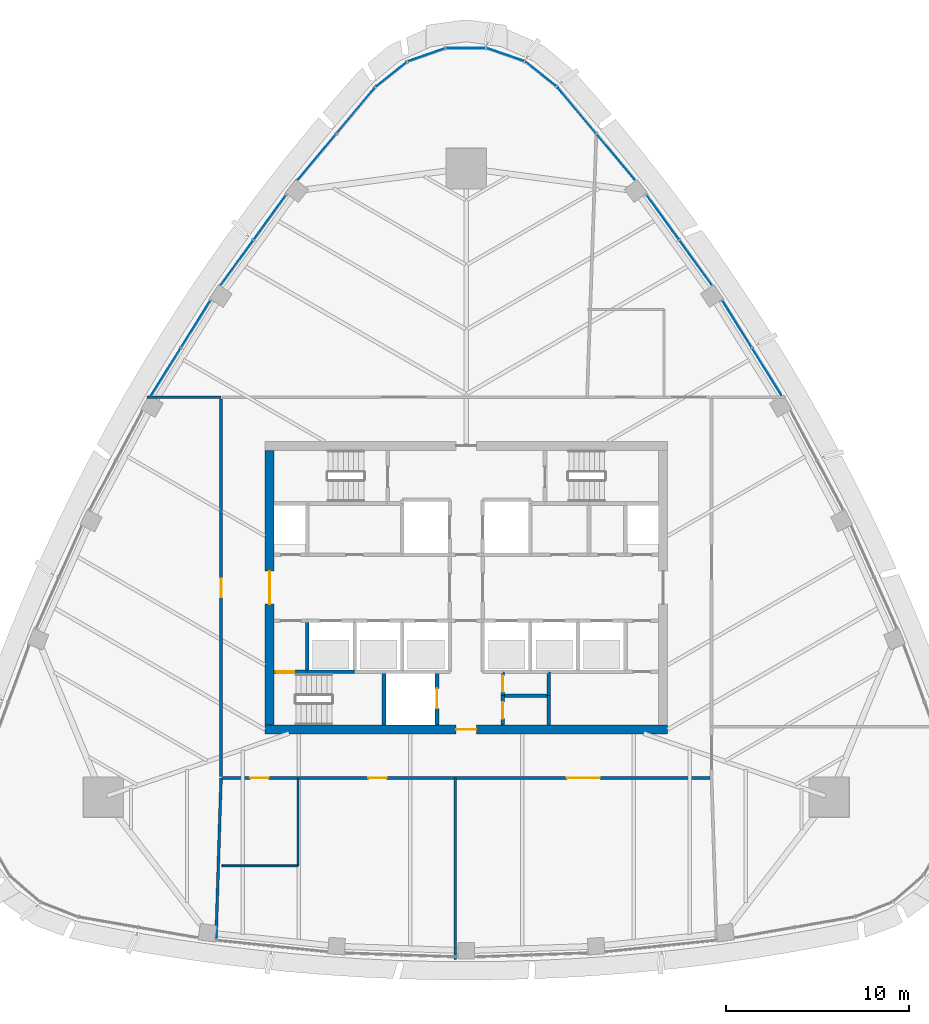
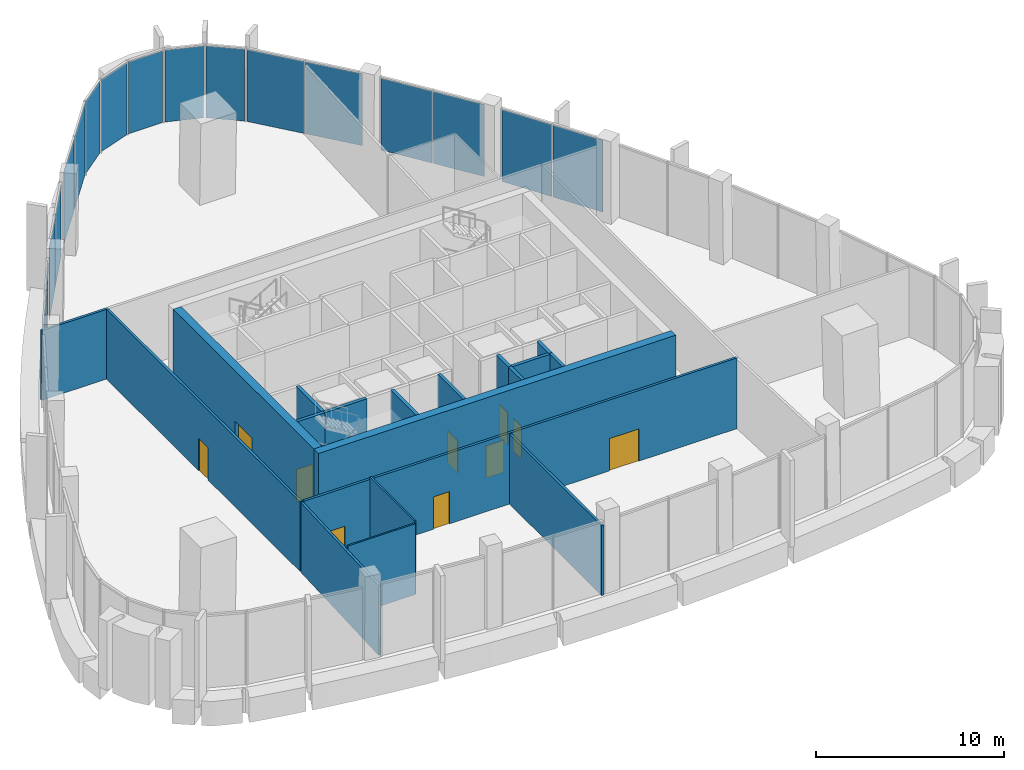
# One storey, part 8 of 19: 19 walls, 17 plates, 10 doors, 10 openings, 11 elements without a shape of their own.
"""IFC4 building model written with IfcOpenShell, lengths in metres."""

import ifcopenshell
import ifcopenshell.guid

model = None  # the IFC model being written
_history = None  # IfcOwnerHistory: only IFC2X3 demands one
_inside = {}  # id of a spatial element -> (the spatial element, [elements in it])
_under = {}  # id of a project, library or spatial element -> (it, [spatial elements below it])
_declared = {}  # id of a project -> (the project, [libraries it declares])
_typed = {}  # id of a type object -> (the type object, [elements of that type])
_made_of = {}  # id of a material, layer set ... -> (it, [elements and type objects made of it])


def new_model(schema):
    """Start an empty IFC model of exactly this schema.

    Asked for "IFC4X3", IfcOpenShell would pick the latest addendum, in which some entities
    have other attributes; the version numbers below select the first issue.
    IFC2X3 requires an IfcOwnerHistory on every rooted entity: one is made here for all.
    """
    global model, _history
    if schema == "IFC4X3":
        model = ifcopenshell.file(schema_version=(4, 3, 0, 0))
    else:
        model = ifcopenshell.file(schema=schema)
    _inside.clear()
    _under.clear()
    _declared.clear()
    _typed.clear()
    _made_of.clear()
    _history = None
    if model.schema == "IFC2X3":
        org = make("IfcOrganization", Name="unknown")
        user = make(
            "IfcPersonAndOrganization",
            ThePerson=make("IfcPerson", FamilyName="unknown"),
            TheOrganization=org,
        )
        app = make(
            "IfcApplication",
            ApplicationDeveloper=org,
            Version="unknown",
            ApplicationFullName="unknown",
            ApplicationIdentifier="unknown",
        )
        _history = make(
            "IfcOwnerHistory",
            OwningUser=user,
            OwningApplication=app,
            ChangeAction="ADDED",
            CreationDate=0,
        )
    return model


def make(cls, **values):
    """One entity of the class cls with the attributes given. An attribute that is None is left unset."""
    return model.create_entity(
        cls, **{name: value for name, value in values.items() if value is not None}
    )


def rooted(cls, **values):
    """An entity with a GlobalId (a new one), such as an element, a storey or a relation."""
    return make(cls, GlobalId=ifcopenshell.guid.new(), OwnerHistory=_history, **values)


def si_unit(unit_type, name, prefix=None):
    """IfcSIUnit, for example si_unit("LENGTHUNIT", "METRE", prefix="MILLI")."""
    return make("IfcSIUnit", UnitType=unit_type, Prefix=prefix, Name=name)


def assignment(units):
    """IfcUnitAssignment: the units of a project."""
    return None if units is None else make("IfcUnitAssignment", Units=units)


def point(xyz):
    """IfcCartesianPoint."""
    return None if xyz is None else make("IfcCartesianPoint", Coordinates=xyz)


def direction(xyz):
    """IfcDirection."""
    return None if xyz is None else make("IfcDirection", DirectionRatios=xyz)


def frame(location, z_axis=None, x_axis=None):
    """IfcAxis2Placement3D, a coordinate frame: its origin and axes. An axis left out is left unset."""
    return make(
        "IfcAxis2Placement3D",
        Location=point(location),
        Axis=direction(z_axis),
        RefDirection=direction(x_axis),
    )


def frame_2d(location, x_axis=None):
    """IfcAxis2Placement2D, a coordinate frame in the plane: its origin and x axis."""
    return make(
        "IfcAxis2Placement2D", Location=point(location), RefDirection=direction(x_axis)
    )


def origin():
    """The frame at (0, 0, 0) with its axes left unset."""
    return frame((0.0, 0.0, 0.0))


def origin_2d():
    """The frame at (0, 0) in the plane with its x axis left unset."""
    return frame_2d((0.0, 0.0))


def place(relative_to, where):
    """IfcLocalPlacement: puts the frame where relative to a parent placement (None: the world)."""
    return make(
        "IfcLocalPlacement", PlacementRelTo=relative_to, RelativePlacement=where
    )


def context(
    kind, dimensions, precision=None, world=None, true_north=None, identifier=None
):
    """IfcGeometricRepresentationContext, for example the 3D "Model" context."""
    return make(
        "IfcGeometricRepresentationContext",
        ContextIdentifier=identifier,
        ContextType=kind,
        CoordinateSpaceDimension=dimensions,
        Precision=precision,
        WorldCoordinateSystem=world,
        TrueNorth=true_north,
    )


def subcontext(parent, identifier, kind, view, scale=None):
    """IfcGeometricRepresentationSubContext, for example "Body" below "Model"."""
    return make(
        "IfcGeometricRepresentationSubContext",
        ContextIdentifier=identifier,
        ContextType=kind,
        ParentContext=parent,
        TargetScale=scale,
        TargetView=view,
    )


def project(units=None, contexts=None):
    """IfcProject with its units and contexts."""
    return rooted(
        "IfcProject",
        Name="project",
        RepresentationContexts=contexts,
        UnitsInContext=assignment(units),
    )


def spatial(cls, under=None, at=None, **own):
    """A site, building, storey or space (cls), placed at a placement, below another one or the project."""
    s = rooted(cls, ObjectPlacement=at, **own)
    if under is not None:
        _under.setdefault(under.id(), (under, []))[1].append(s)
    return s


def profile(cls, at=None, kind="AREA", **sizes):
    """A parametric profile (cls). Its sizes go by their IFC names, for example OverallWidth=200.0."""
    return make(cls, ProfileType=kind, Position=at, **sizes)


def rectangle(**sizes):
    """IfcRectangleProfileDef."""
    return profile("IfcRectangleProfileDef", **sizes)


def extrude(swept, where, along, depth):
    """IfcExtrudedAreaSolid: the profile swept, set in the frame where, extruded along a direction by depth."""
    return make(
        "IfcExtrudedAreaSolid",
        SweptArea=swept,
        Position=where,
        ExtrudedDirection=direction(along),
        Depth=depth,
    )


def shape(context_of_items, identifier, shape_type, items):
    """IfcShapeRepresentation: the items that make up one representation, for example the "Body"."""
    return make(
        "IfcShapeRepresentation",
        ContextOfItems=context_of_items,
        RepresentationIdentifier=identifier,
        RepresentationType=shape_type,
        Items=items,
    )


def material(Name=None, Category=None):
    """IfcMaterial."""
    return make("IfcMaterial", Name=Name, Category=Category)


def layer(
    of_material, thickness, ventilated=None, Name=None, Category=None, Priority=None
):
    """IfcMaterialLayer: one layer of a wall or slab, of a material (None: an air gap)."""
    return make(
        "IfcMaterialLayer",
        Material=of_material,
        LayerThickness=thickness,
        IsVentilated=ventilated,
        Name=Name,
        Category=Category,
        Priority=Priority,
    )


def layer_set(layers, Name=None):
    """IfcMaterialLayerSet."""
    return make("IfcMaterialLayerSet", MaterialLayers=layers, LayerSetName=Name)


def made_of(thing, what):
    """Note that an element or type object is made of a material, layer set ...; save() writes the relation."""
    if what is not None:
        _made_of.setdefault(what.id(), (what, []))[1].append(thing)
    return thing


def type_object(cls, material=None, **own):
    """A type object (cls), such as IfcWallType, which elements share."""
    return made_of(rooted(cls, **own), material)


def element(
    cls,
    number,
    at=None,
    inside=None,
    cuts=None,
    type_object=None,
    material=None,
    context=None,
    identifier="Body",
    shape_type=None,
    held_by="IfcProductDefinitionShape",
    body=None,
    shapes=None,
    **own,
):
    """One element of the class cls, such as IfcWall. Its Tag is "e" and its number.

    at: its placement. inside: the storey or other place that contains it. cuts: it is an
    opening in that element (IfcRelVoidsElement). A single representation is given by context,
    identifier, shape_type and body (its items); several are given by shapes. held_by: the class
    of the entity that holds the representations. save() writes the other relations.
    """
    e = rooted(cls, Tag="e%d" % number, ObjectPlacement=at, **own)
    if body is not None:
        shapes = [shape(context, identifier, shape_type, body)]
    if shapes is not None:
        e.Representation = make(held_by, Representations=shapes)
    if inside is not None:
        _inside.setdefault(inside.id(), (inside, []))[1].append(e)
    if cuts is not None:
        rooted(
            "IfcRelVoidsElement", RelatingBuildingElement=cuts, RelatedOpeningElement=e
        )
    if type_object is not None:
        _typed.setdefault(type_object.id(), (type_object, []))[1].append(e)
    return made_of(e, material)


def fill(opening, filler):
    """IfcRelFillsElement: the door or window that sits in an opening."""
    return rooted(
        "IfcRelFillsElement",
        RelatingOpeningElement=opening,
        RelatedBuildingElement=filler,
    )


def aggregate(whole, parts):
    """IfcRelAggregates: a whole, such as a stair, and the parts it consists of."""
    return rooted("IfcRelAggregates", RelatingObject=whole, RelatedObjects=parts)


def save(model, path):
    """Write the relations noted so far, then the file.

    IfcRelAggregates (storeys below a building ...), IfcRelContainedInSpatialStructure (elements
    in a storey), IfcRelDefinesByType, IfcRelAssociatesMaterial and IfcRelDeclares: one each for
    every whole, place, type object, material and project.
    """
    for whole, parts in _under.values():
        aggregate(whole, parts)
    for where, things in _inside.values():
        rooted(
            "IfcRelContainedInSpatialStructure",
            RelatedElements=things,
            RelatingStructure=where,
        )
    for kind, things in _typed.values():
        rooted("IfcRelDefinesByType", RelatedObjects=things, RelatingType=kind)
    for what, things in _made_of.values():
        rooted("IfcRelAssociatesMaterial", RelatedObjects=things, RelatingMaterial=what)
    for by, libraries in _declared.values():
        rooted("IfcRelDeclares", RelatingContext=by, RelatedDefinitions=libraries)
    model.write(path)


model = new_model("IFC4")

# Units and contexts
model_context = context("Model", 3, precision=1e-05, world=origin(), true_north=direction((0.0, 1.0)))
body_context = subcontext(model_context, "Body", "Model", "MODEL_VIEW")
ifc_project = project(units=[si_unit("LENGTHUNIT", "METRE"), si_unit("AREAUNIT", "SQUARE_METRE"), si_unit("VOLUMEUNIT", "CUBIC_METRE"), si_unit("PLANEANGLEUNIT", "RADIAN"), si_unit("MASSUNIT", "GRAM", prefix="KILO")], contexts=[model_context])

# Site, building, storey
site_placement = place(None, origin())
site = spatial("IfcSite", under=ifc_project, at=site_placement, CompositionType="ELEMENT")
building_placement = place(site_placement, origin())
building = spatial("IfcBuilding", under=site, at=building_placement, Name="Sierra Prisma Convention Tower", CompositionType="ELEMENT")
storey_placement = place(building_placement, frame((0.0, 0.0, 319.0)))
storey = spatial("IfcBuildingStorey", under=building, at=storey_placement, Name="L73", CompositionType="ELEMENT", Elevation=319.0)

# Curtain wall, plates
ifc_material_1 = material(Name="Aluminium and glass curtain wall", Category="aluminium")
ifc_layer_1 = layer(ifc_material_1, 0.179931640625)
ifc_layer_set_1 = layer_set([ifc_layer_1], Name="CW-1 Plain shaft curtain wall")
curtain_wall_type = type_object("IfcCurtainWallType", Name="CW-1 Plain shaft curtain wall", PredefinedType="NOTDEFINED", material=ifc_layer_set_1)
curtain_wall_1_placement = place(storey_placement, origin())
curtain_wall_1 = element("IfcCurtainWall", 1, at=curtain_wall_1_placement, inside=storey, type_object=curtain_wall_type, Name="CW-1 NE4 L73", PredefinedType="NOTDEFINED")
ifc_material_2 = material(Name="Tinted glass bronze-grey IGU", Category="glass")
ifc_layer_2 = layer(ifc_material_2, 0.028076171875)
ifc_layer_set_2 = layer_set([ifc_layer_2], Name="CW-1 glass panel")
plate_type = type_object("IfcPlateType", Name="CW-1 glass panel", PredefinedType="CURTAIN_PANEL", material=ifc_layer_set_2)
plate_1_placement = place(storey_placement, frame((16.41259765625, 11.80712890625, 0.0), z_axis=(0.0, 0.0, 1.0), x_axis=(-0.529623240013, 0.848233000795, 0.0)))
plate_1 = element("IfcPlate", 2, at=plate_1_placement, type_object=plate_type, Name="CW-1 panel NE4.1", PredefinedType="CURTAIN_PANEL", context=body_context, shape_type="SweptSolid", body=[
    extrude(rectangle(XDim=3.000244140625, YDim=0.028076171875, at=origin_2d()), origin(), (0.0, 0.0, 1.0), 4.679931640625),
])
plate_2_placement = place(storey_placement, frame((14.78662109375, 14.411376953125, 0.0), z_axis=(0.0, 0.0, 1.0), x_axis=(-0.529623240013, 0.848233000795, 0.0)))
plate_2 = element("IfcPlate", 3, at=plate_2_placement, type_object=plate_type, Name="CW-1 panel NE4.2", PredefinedType="CURTAIN_PANEL", context=body_context, shape_type="SweptSolid", body=[
    extrude(rectangle(XDim=3.000244140625, YDim=0.028076171875, at=origin_2d()), origin(), (0.0, 0.0, 1.0), 4.679931640625),
])
aggregate(curtain_wall_1, [plate_1, plate_2])

curtain_wall_2_placement = place(storey_placement, origin())
curtain_wall_2 = element("IfcCurtainWall", 4, at=curtain_wall_2_placement, inside=storey, type_object=curtain_wall_type, Name="CW-1 NE5 L73", PredefinedType="NOTDEFINED")
plate_3_placement = place(storey_placement, frame((12.529296875, 17.76416015625, 0.0), z_axis=(0.0, 0.0, 1.0), x_axis=(-0.586937823145, 0.80963201009, 0.0)))
plate_3 = element("IfcPlate", 5, at=plate_3_placement, type_object=plate_type, Name="CW-1 panel NE5.1", PredefinedType="CURTAIN_PANEL", context=body_context, shape_type="SweptSolid", body=[
    extrude(rectangle(XDim=2.985107421875, YDim=0.028076171875, at=origin_2d()), origin(), (0.0, 0.0, 1.0), 4.679931640625),
])
plate_4_placement = place(storey_placement, frame((10.736083984375, 20.23779296875, 0.0), z_axis=(0.0, 0.0, 1.0), x_axis=(-0.586937823145, 0.80963201009, 0.0)))
plate_4 = element("IfcPlate", 6, at=plate_4_placement, type_object=plate_type, Name="CW-1 panel NE5.2", PredefinedType="CURTAIN_PANEL", context=body_context, shape_type="SweptSolid", body=[
    extrude(rectangle(XDim=2.985107421875, YDim=0.028076171875, at=origin_2d()), origin(), (0.0, 0.0, 1.0), 4.679931640625),
])
aggregate(curtain_wall_2, [plate_3, plate_4])

curtain_wall_3_placement = place(storey_placement, origin())
curtain_wall_3 = element("IfcCurtainWall", 7, at=curtain_wall_3_placement, inside=storey, type_object=curtain_wall_type, Name="CW-1 NE6 L73", PredefinedType="NOTDEFINED")
plate_5_placement = place(storey_placement, frame((8.160400390625, 23.539306640625, 0.0), z_axis=(0.0, 0.0, 1.0), x_axis=(-0.641449779403, 0.767165028207, 0.0)))
plate_5 = element("IfcPlate", 8, at=plate_5_placement, type_object=plate_type, Name="CW-1 panel NE6.1", PredefinedType="CURTAIN_PANEL", context=body_context, shape_type="SweptSolid", body=[
    extrude(rectangle(XDim=3.23095703125, YDim=0.028076171875, at=origin_2d()), origin(), (0.0, 0.0, 1.0), 4.679931640625),
])
plate_6_placement = place(storey_placement, frame((6.04296875, 26.07177734375, 0.0), z_axis=(0.0, 0.0, 1.0), x_axis=(-0.641449779403, 0.767165028207, 0.0)))
plate_6 = element("IfcPlate", 9, at=plate_6_placement, type_object=plate_type, Name="CW-1 panel NE6.2", PredefinedType="CURTAIN_PANEL", context=body_context, shape_type="SweptSolid", body=[
    extrude(rectangle(XDim=3.23095703125, YDim=0.028076171875, at=origin_2d()), origin(), (0.0, 0.0, 1.0), 4.679931640625),
])
aggregate(curtain_wall_3, [plate_5, plate_6])

# Curtain wall, plate
curtain_wall_4_placement = place(storey_placement, origin())
curtain_wall_4 = element("IfcCurtainWall", 10, at=curtain_wall_4_placement, inside=storey, type_object=curtain_wall_type, Name="CW-1 N1 L73", PredefinedType="NOTDEFINED")
plate_7_placement = place(storey_placement, frame((4.08984375, 28.058349609375, 0.0), z_axis=(0.0, 0.0, 1.0), x_axis=(-0.782651729813, 0.622459853984, 0.0)))
plate_7 = element("IfcPlate", 11, at=plate_7_placement, type_object=plate_type, Name="CW-1 panel N1.1", PredefinedType="CURTAIN_PANEL", context=body_context, shape_type="SweptSolid", body=[
    extrude(rectangle(XDim=2.08837890625, YDim=0.028076171875, at=origin_2d()), origin(), (0.0, 0.0, 1.0), 4.679931640625),
])
aggregate(curtain_wall_4, [plate_7])

curtain_wall_5_placement = place(storey_placement, origin())
curtain_wall_5 = element("IfcCurtainWall", 12, at=curtain_wall_5_placement, inside=storey, type_object=curtain_wall_type, Name="CW-1 N2 L73", PredefinedType="NOTDEFINED")
plate_8_placement = place(storey_placement, frame((2.166015625, 29.119140625, 0.0), z_axis=(0.0, 0.0, 1.0), x_axis=(-0.944100558686, 0.329657602807, 0.0)))
plate_8 = element("IfcPlate", 13, at=plate_8_placement, type_object=plate_type, Name="CW-1 panel N2.1", PredefinedType="CURTAIN_PANEL", context=body_context, shape_type="SweptSolid", body=[
    extrude(rectangle(XDim=2.08837890625, YDim=0.028076171875, at=origin_2d()), origin(), (0.0, 0.0, 1.0), 4.679931640625),
])
aggregate(curtain_wall_5, [plate_8])

curtain_wall_6_placement = place(storey_placement, origin())
curtain_wall_6 = element("IfcCurtainWall", 14, at=curtain_wall_6_placement, inside=storey, type_object=curtain_wall_type, Name="CW-1 N3 L73", PredefinedType="NOTDEFINED")
plate_9_placement = place(storey_placement, frame((0.0, 29.486572265625, 0.0), z_axis=(0.0, 0.0, 1.0), x_axis=(-1.0, 0.0, 0.0)))
plate_9 = element("IfcPlate", 15, at=plate_9_placement, type_object=plate_type, Name="CW-1 panel N3.1", PredefinedType="CURTAIN_PANEL", context=body_context, shape_type="SweptSolid", body=[
    extrude(rectangle(XDim=2.08837890625, YDim=0.028076171875, at=origin_2d()), origin(), (0.0, 0.0, 1.0), 4.679931640625),
])
aggregate(curtain_wall_6, [plate_9])

curtain_wall_7_placement = place(storey_placement, origin())
curtain_wall_7 = element("IfcCurtainWall", 16, at=curtain_wall_7_placement, inside=storey, type_object=curtain_wall_type, Name="CW-1 N4 L73", PredefinedType="NOTDEFINED")
plate_10_placement = place(storey_placement, frame((-2.166015625, 29.119140625, 0.0), z_axis=(0.0, 0.0, 1.0), x_axis=(-0.944100558686, -0.329657602807, 0.0)))
plate_10 = element("IfcPlate", 17, at=plate_10_placement, type_object=plate_type, Name="CW-1 panel N4.1", PredefinedType="CURTAIN_PANEL", context=body_context, shape_type="SweptSolid", body=[
    extrude(rectangle(XDim=2.08837890625, YDim=0.028076171875, at=origin_2d()), origin(), (0.0, 0.0, 1.0), 4.679931640625),
])
aggregate(curtain_wall_7, [plate_10])

curtain_wall_8_placement = place(storey_placement, origin())
curtain_wall_8 = element("IfcCurtainWall", 18, at=curtain_wall_8_placement, inside=storey, type_object=curtain_wall_type, Name="CW-1 N5 L73", PredefinedType="NOTDEFINED")
plate_11_placement = place(storey_placement, frame((-4.08984375, 28.058349609375, 0.0), z_axis=(0.0, 0.0, 1.0), x_axis=(-0.782651729813, -0.622459853984, 0.0)))
plate_11 = element("IfcPlate", 19, at=plate_11_placement, type_object=plate_type, Name="CW-1 panel N5.1", PredefinedType="CURTAIN_PANEL", context=body_context, shape_type="SweptSolid", body=[
    extrude(rectangle(XDim=2.08837890625, YDim=0.028076171875, at=origin_2d()), origin(), (0.0, 0.0, 1.0), 4.679931640625),
])
aggregate(curtain_wall_8, [plate_11])

# Curtain wall, plates
curtain_wall_9_placement = place(storey_placement, origin())
curtain_wall_9 = element("IfcCurtainWall", 20, at=curtain_wall_9_placement, inside=storey, type_object=curtain_wall_type, Name="CW-1 NW1 L73", PredefinedType="NOTDEFINED")
plate_12_placement = place(storey_placement, frame((-6.04296875, 26.07177734375, 0.0), z_axis=(0.0, 0.0, 1.0), x_axis=(-0.641449779403, -0.767165028207, 0.0)))
plate_12 = element("IfcPlate", 21, at=plate_12_placement, type_object=plate_type, Name="CW-1 panel NW1.1", PredefinedType="CURTAIN_PANEL", context=body_context, shape_type="SweptSolid", body=[
    extrude(rectangle(XDim=3.23095703125, YDim=0.028076171875, at=origin_2d()), origin(), (0.0, 0.0, 1.0), 4.679931640625),
])
plate_13_placement = place(storey_placement, frame((-8.160400390625, 23.539306640625, 0.0), z_axis=(0.0, 0.0, 1.0), x_axis=(-0.641449779403, -0.767165028207, 0.0)))
plate_13 = element("IfcPlate", 22, at=plate_13_placement, type_object=plate_type, Name="CW-1 panel NW1.2", PredefinedType="CURTAIN_PANEL", context=body_context, shape_type="SweptSolid", body=[
    extrude(rectangle(XDim=3.23095703125, YDim=0.028076171875, at=origin_2d()), origin(), (0.0, 0.0, 1.0), 4.679931640625),
])
aggregate(curtain_wall_9, [plate_12, plate_13])

curtain_wall_10_placement = place(storey_placement, origin())
curtain_wall_10 = element("IfcCurtainWall", 23, at=curtain_wall_10_placement, inside=storey, type_object=curtain_wall_type, Name="CW-1 NW2 L73", PredefinedType="NOTDEFINED")
plate_14_placement = place(storey_placement, frame((-10.73681640625, 20.23681640625, 0.0), z_axis=(0.0, 0.0, 1.0), x_axis=(-0.586937823145, -0.80963201009, 0.0)))
plate_14 = element("IfcPlate", 24, at=plate_14_placement, type_object=plate_type, Name="CW-1 panel NW2.1", PredefinedType="CURTAIN_PANEL", context=body_context, shape_type="SweptSolid", body=[
    extrude(rectangle(XDim=2.984375, YDim=0.028076171875, at=origin_2d()), origin(), (0.0, 0.0, 1.0), 4.679931640625),
])
plate_15_placement = place(storey_placement, frame((-12.529541015625, 17.763916015625, 0.0), z_axis=(0.0, 0.0, 1.0), x_axis=(-0.586937823145, -0.80963201009, 0.0)))
plate_15 = element("IfcPlate", 25, at=plate_15_placement, type_object=plate_type, Name="CW-1 panel NW2.2", PredefinedType="CURTAIN_PANEL", context=body_context, shape_type="SweptSolid", body=[
    extrude(rectangle(XDim=2.984375, YDim=0.028076171875, at=origin_2d()), origin(), (0.0, 0.0, 1.0), 4.679931640625),
])
aggregate(curtain_wall_10, [plate_14, plate_15])

curtain_wall_11_placement = place(storey_placement, origin())
curtain_wall_11 = element("IfcCurtainWall", 26, at=curtain_wall_11_placement, inside=storey, type_object=curtain_wall_type, Name="CW-1 NW3 L73", PredefinedType="NOTDEFINED")
plate_16_placement = place(storey_placement, frame((-14.786865234375, 14.4111328125, 0.0), z_axis=(0.0, 0.0, 1.0), x_axis=(-0.529623240013, -0.848233000795, 0.0)))
plate_16 = element("IfcPlate", 27, at=plate_16_placement, type_object=plate_type, Name="CW-1 panel NW3.1", PredefinedType="CURTAIN_PANEL", context=body_context, shape_type="SweptSolid", body=[
    extrude(rectangle(XDim=3.0, YDim=0.028076171875, at=origin_2d()), origin(), (0.0, 0.0, 1.0), 4.679931640625),
])
plate_17_placement = place(storey_placement, frame((-16.412841796875, 11.80712890625, 0.0), z_axis=(0.0, 0.0, 1.0), x_axis=(-0.529623240013, -0.848233000795, 0.0)))
plate_17 = element("IfcPlate", 28, at=plate_17_placement, type_object=plate_type, Name="CW-1 panel NW3.2", PredefinedType="CURTAIN_PANEL", context=body_context, shape_type="SweptSolid", body=[
    extrude(rectangle(XDim=3.0, YDim=0.028076171875, at=origin_2d()), origin(), (0.0, 0.0, 1.0), 4.679931640625),
])
aggregate(curtain_wall_11, [plate_16, plate_17])

# Walls
ifc_material_3 = material(Name="Gypsum board partition", Category="gypsum")
ifc_layer_3 = layer(ifc_material_3, 0.10009765625)
ifc_layer_set_3 = layer_set([ifc_layer_3], Name="Bathroom partition 100")
wall_type_1 = type_object("IfcWallType", Name="Bathroom partition 100", PredefinedType="PARTITIONING", material=ifc_layer_set_3)
wall_1_placement = place(storey_placement, frame((-9.199951171875, -10.429931640625, 0.0), z_axis=(0.0, 0.0, 1.0), x_axis=(0.0, -1.0, 0.0)))
element("IfcWall", 29, at=wall_1_placement, inside=storey, type_object=wall_type_1, Name="Partition L73 bath 1", PredefinedType="PARTITIONING", context=body_context, shape_type="SweptSolid", body=[
    extrude(rectangle(XDim=4.77001953125, YDim=0.10009765625, at=frame_2d((2.385009765625, 0.0))), origin(), (0.0, 0.0, 1.0), 4.75),
])
wall_2_placement = place(storey_placement, frame((-9.199951171875, -15.199951171875, 0.0), z_axis=(0.0, 0.0, 1.0), x_axis=(-1.0, 0.0, 0.0)))
element("IfcWall", 30, at=wall_2_placement, inside=storey, type_object=wall_type_1, Name="Partition L73 bath 2", PredefinedType="PARTITIONING", context=body_context, shape_type="SweptSolid", body=[
    extrude(rectangle(XDim=4.170166015625, YDim=0.10009765625, at=frame_2d((2.0849609375, 0.0))), origin(), (0.0, 0.0, 1.0), 4.60595703125),
])

# Wall, opening, door
ifc_material_4 = material(Name="Concrete C30/37", Category="concrete")
ifc_layer_4 = layer(ifc_material_4, 0.199951171875)
ifc_layer_set_4 = layer_set([ifc_layer_4], Name="Core wall RC 200 C30/37")
wall_type_2 = type_object("IfcWallType", Name="Core wall RC 200 C30/37", PredefinedType="SOLIDWALL", material=ifc_layer_set_4)
wall_3_placement = place(storey_placement, frame((-10.5, -4.60009765625, 0.0), z_axis=(0.0, 0.0, 1.0), x_axis=(1.0, 0.0, 0.0)))
wall_3 = element("IfcWall", 31, at=wall_3_placement, inside=storey, type_object=wall_type_2, Name="Core wall L73 1", PredefinedType="SOLIDWALL", context=body_context, shape_type="SweptSolid", body=[
    extrude(rectangle(XDim=1.800048828125, YDim=0.199951171875, at=frame_2d((0.89990234375, 0.0))), origin(), (0.0, 0.0, 1.0), 5.25),
])
opening_1_placement = place(wall_3_placement, frame((0.10009765625, 0.0, 0.0)))
opening_1 = element("IfcOpeningElement", 32, at=opening_1_placement, cuts=wall_3, Name="Opening L73-D017", PredefinedType="OPENING", context=body_context, shape_type="SweptSolid", body=[
    extrude(rectangle(XDim=1.0, YDim=2.10009765625, at=frame_2d((0.5, 1.050048828125))), frame((0.0, 0.10009765625, 0.0), z_axis=(0.0, -1.0, 0.0), x_axis=(1.0, 0.0, 0.0)), (0.0, 0.0, 1.0), 0.199951171875),
])
ifc_material_5 = material(Name="Steel fire door leaf", Category="steel")
door_type_1 = type_object("IfcDoorType", Name="Door 1000x2100 FD90S", OperationType="SINGLE_SWING_LEFT", PredefinedType="DOOR", material=ifc_material_5)
door_1_placement = place(opening_1_placement, origin())
door_1 = element("IfcDoor", 33, at=door_1_placement, inside=storey, type_object=door_type_1, Name="Door L73 26", OperationType="SINGLE_SWING_LEFT", OverallHeight=2.10009765625, OverallWidth=1.0, PredefinedType="DOOR", context=body_context, shape_type="SweptSolid", body=[
    extrude(rectangle(XDim=1.0, YDim=2.10009765625, at=frame_2d((0.5, 1.050048828125))), frame((0.0, 0.02490234375, 0.0), z_axis=(0.0, -1.0, 0.0), x_axis=(1.0, 0.0, 0.0)), (0.0, 0.0, 1.0), 0.050048828125),
])
fill(opening_1, door_1)

# Walls
wall_4_placement = place(storey_placement, frame((-8.699951171875, -4.60009765625, 0.0), z_axis=(0.0, 0.0, 1.0), x_axis=(1.0, 0.0, 0.0)))
element("IfcWall", 34, at=wall_4_placement, inside=storey, type_object=wall_type_2, Name="Core wall L73 5", PredefinedType="SOLIDWALL", context=body_context, shape_type="SweptSolid", body=[
    extrude(rectangle(XDim=2.599853515625, YDim=0.199951171875, at=frame_2d((1.2998046875, 0.0))), origin(), (0.0, 0.0, 1.0), 5.25),
])
wall_5_placement = place(storey_placement, frame((-8.699951171875, -4.60009765625, 0.0), z_axis=(0.0, 0.0, 1.0), x_axis=(0.0, 1.0, 0.0)))
element("IfcWall", 35, at=wall_5_placement, inside=storey, type_object=wall_type_2, Name="Core wall L73 6", PredefinedType="SOLIDWALL", context=body_context, shape_type="SweptSolid", body=[
    extrude(rectangle(XDim=2.800048828125, YDim=0.199951171875, at=frame_2d((1.39990234375, 0.0))), origin(), (0.0, 0.0, 1.0), 5.25),
])
wall_6_placement = place(storey_placement, frame((-4.5, -4.60009765625, 0.0), z_axis=(0.0, 0.0, 1.0), x_axis=(0.0, -1.0, 0.0)))
element("IfcWall", 36, at=wall_6_placement, inside=storey, type_object=wall_type_2, Name="Core wall L73 14", PredefinedType="SOLIDWALL", context=body_context, shape_type="SweptSolid", body=[
    extrude(rectangle(XDim=2.89990234375, YDim=0.199951171875, at=frame_2d((1.449951171875, 0.0))), origin(), (0.0, 0.0, 1.0), 5.25),
])

# Wall, opening, door
wall_7_placement = place(storey_placement, frame((-1.60009765625, -7.5, 0.0), z_axis=(0.0, 0.0, 1.0), x_axis=(0.0, 1.0, 0.0)))
wall_7 = element("IfcWall", 37, at=wall_7_placement, inside=storey, type_object=wall_type_2, Name="Core wall L73 26", PredefinedType="SOLIDWALL", context=body_context, shape_type="SweptSolid", body=[
    extrude(rectangle(XDim=2.89990234375, YDim=0.199951171875, at=frame_2d((1.449951171875, 0.0))), origin(), (0.0, 0.0, 1.0), 5.25),
])
opening_2_placement = place(wall_7_placement, frame((0.89990234375, 0.0, 0.0)))
opening_2 = element("IfcOpeningElement", 38, at=opening_2_placement, cuts=wall_7, Name="Opening L73-D009", PredefinedType="OPENING", context=body_context, shape_type="SweptSolid", body=[
    extrude(rectangle(XDim=1.10009765625, YDim=2.10009765625, at=frame_2d((0.550048828125, 1.050048828125))), frame((0.0, 0.10009765625, 0.0), z_axis=(0.0, -1.0, 0.0), x_axis=(1.0, 0.0, 0.0)), (0.0, 0.0, 1.0), 0.199951171875),
])
ifc_material_6 = material(Name="Steel fire door leaf", Category="steel")
door_type_2 = type_object("IfcDoorType", Name="Door 1100x2100 EI 90 sliding lift landing", OperationType="SLIDING_TO_LEFT", PredefinedType="DOOR", material=ifc_material_6)
door_2_placement = place(opening_2_placement, origin())
door_2 = element("IfcDoor", 39, at=door_2_placement, inside=storey, type_object=door_type_2, Name="Door L73 18", OperationType="SLIDING_TO_LEFT", OverallHeight=2.10009765625, OverallWidth=1.10009765625, PredefinedType="DOOR", context=body_context, shape_type="SweptSolid", body=[
    extrude(rectangle(XDim=1.10009765625, YDim=2.10009765625, at=frame_2d((0.550048828125, 1.050048828125))), frame((0.0, 0.02490234375, 0.0), z_axis=(0.0, -1.0, 0.0), x_axis=(1.0, 0.0, 0.0)), (0.0, 0.0, 1.0), 0.050048828125),
])
fill(opening_2, door_2)

wall_8_placement = place(storey_placement, frame((2.0, -5.89990234375, 0.0), z_axis=(0.0, 0.0, 1.0), x_axis=(0.0, -1.0, 0.0)))
wall_8 = element("IfcWall", 40, at=wall_8_placement, inside=storey, type_object=wall_type_2, Name="Core wall L73 40", PredefinedType="SOLIDWALL", context=body_context, shape_type="SweptSolid", body=[
    extrude(rectangle(XDim=1.60009765625, YDim=0.199951171875, at=frame_2d((0.800048828125, 0.0))), origin(), (0.0, 0.0, 1.0), 5.25),
])
opening_3_placement = place(wall_8_placement, frame((0.35009765625, 0.0, 0.0)))
opening_3 = element("IfcOpeningElement", 41, at=opening_3_placement, cuts=wall_8, Name="Opening L73-D025", PredefinedType="OPENING", context=body_context, shape_type="SweptSolid", body=[
    extrude(rectangle(XDim=0.89990234375, YDim=2.10009765625, at=frame_2d((0.449951171875, 1.050048828125))), frame((0.0, 0.10009765625, 0.0), z_axis=(0.0, -1.0, 0.0), x_axis=(1.0, 0.0, 0.0)), (0.0, 0.0, 1.0), 0.199951171875),
])
ifc_material_7 = material(Name="Steel fire door leaf", Category="steel")
door_type_3 = type_object("IfcDoorType", Name="Door 900x2100 FD30S", OperationType="SINGLE_SWING_LEFT", PredefinedType="DOOR", material=ifc_material_7)
door_3_placement = place(opening_3_placement, origin())
door_3 = element("IfcDoor", 42, at=door_3_placement, inside=storey, type_object=door_type_3, Name="Door L73 34", OperationType="SINGLE_SWING_RIGHT", OverallHeight=2.10009765625, OverallWidth=0.89990234375, PredefinedType="DOOR", context=body_context, shape_type="SweptSolid", body=[
    extrude(rectangle(XDim=0.89990234375, YDim=2.10009765625, at=frame_2d((0.449951171875, 1.050048828125))), frame((0.0, 0.02490234375, 0.0), z_axis=(0.0, -1.0, 0.0), x_axis=(1.0, 0.0, 0.0)), (0.0, 0.0, 1.0), 0.050048828125),
])
fill(opening_3, door_3)

# Wall
wall_9_placement = place(storey_placement, frame((4.5, -5.89990234375, 0.0), z_axis=(0.0, 0.0, 1.0), x_axis=(-1.0, 0.0, 0.0)))
element("IfcWall", 43, at=wall_9_placement, inside=storey, type_object=wall_type_2, Name="Core wall L73 41", PredefinedType="SOLIDWALL", context=body_context, shape_type="SweptSolid", body=[
    extrude(rectangle(XDim=2.5, YDim=0.199951171875, at=frame_2d((1.25, 0.0))), origin(), (0.0, 0.0, 1.0), 5.25),
])

# Wall, opening, door
wall_10_placement = place(storey_placement, frame((2.0, -4.60009765625, 0.0), z_axis=(0.0, 0.0, 1.0), x_axis=(0.0, -1.0, 0.0)))
wall_10 = element("IfcWall", 44, at=wall_10_placement, inside=storey, type_object=wall_type_2, Name="Core wall L73 42", PredefinedType="SOLIDWALL", context=body_context, shape_type="SweptSolid", body=[
    extrude(rectangle(XDim=1.2998046875, YDim=0.199951171875, at=frame_2d((0.64990234375, 0.0))), origin(), (0.0, 0.0, 1.0), 5.25),
])
opening_4_placement = place(wall_10_placement, frame((0.199951171875, 0.0, 0.0)))
opening_4 = element("IfcOpeningElement", 45, at=opening_4_placement, cuts=wall_10, Name="Opening L73-D026", PredefinedType="OPENING", context=body_context, shape_type="SweptSolid", body=[
    extrude(rectangle(XDim=0.89990234375, YDim=2.10009765625, at=frame_2d((0.449951171875, 1.050048828125))), frame((0.0, 0.10009765625, 0.0), z_axis=(0.0, -1.0, 0.0), x_axis=(1.0, 0.0, 0.0)), (0.0, 0.0, 1.0), 0.199951171875),
])
door_4_placement = place(opening_4_placement, origin())
door_4 = element("IfcDoor", 46, at=door_4_placement, inside=storey, type_object=door_type_3, Name="Door L73 35", OperationType="SINGLE_SWING_RIGHT", OverallHeight=2.10009765625, OverallWidth=0.89990234375, PredefinedType="DOOR", context=body_context, shape_type="SweptSolid", body=[
    extrude(rectangle(XDim=0.89990234375, YDim=2.10009765625, at=frame_2d((0.449951171875, 1.050048828125))), frame((0.0, 0.02490234375, 0.0), z_axis=(0.0, -1.0, 0.0), x_axis=(1.0, 0.0, 0.0)), (0.0, 0.0, 1.0), 0.050048828125),
])
fill(opening_4, door_4)

# Walls
wall_11_placement = place(storey_placement, frame((4.5, -5.89990234375, 0.0), z_axis=(0.0, 0.0, 1.0), x_axis=(0.0, -1.0, 0.0)))
element("IfcWall", 47, at=wall_11_placement, inside=storey, type_object=wall_type_2, Name="Core wall L73 52", PredefinedType="SOLIDWALL", context=body_context, shape_type="SweptSolid", body=[
    extrude(rectangle(XDim=1.60009765625, YDim=0.199951171875, at=frame_2d((0.800048828125, 0.0))), origin(), (0.0, 0.0, 1.0), 5.25),
])
wall_12_placement = place(storey_placement, frame((4.5, -4.60009765625, 0.0), z_axis=(0.0, 0.0, 1.0), x_axis=(0.0, -1.0, 0.0)))
element("IfcWall", 48, at=wall_12_placement, inside=storey, type_object=wall_type_2, Name="Core wall L73 53", PredefinedType="SOLIDWALL", context=body_context, shape_type="SweptSolid", body=[
    extrude(rectangle(XDim=1.2998046875, YDim=0.199951171875, at=frame_2d((0.64990234375, 0.0))), origin(), (0.0, 0.0, 1.0), 5.25),
])

# Wall, opening, door
ifc_material_8 = material(Name="Concrete C50/60", Category="concrete")
ifc_layer_5 = layer(ifc_material_8, 0.5)
ifc_layer_set_5 = layer_set([ifc_layer_5], Name="Core wall RC 500 C50/60")
wall_type_3 = type_object("IfcWallType", Name="Core wall RC 500 C50/60", PredefinedType="SHEAR", material=ifc_layer_set_5)
wall_13_placement = place(storey_placement, frame((-11.0, -7.75, 0.0), z_axis=(0.0, 0.0, 1.0), x_axis=(1.0, 0.0, 0.0)))
wall_13 = element("IfcWall", 49, at=wall_13_placement, inside=storey, type_object=wall_type_3, Name="Core wall S L73", PredefinedType="SHEAR", context=body_context, shape_type="SweptSolid", body=[
    extrude(rectangle(XDim=22.0, YDim=0.5, at=frame_2d((11.0, 0.0))), origin(), (0.0, 0.0, 1.0), 5.39990234375),
])
opening_5_placement = place(wall_13_placement, frame((10.449951171875, 0.0, 0.0)))
opening_5 = element("IfcOpeningElement", 50, at=opening_5_placement, cuts=wall_13, Name="Opening L73-D038", PredefinedType="OPENING", context=body_context, shape_type="SweptSolid", body=[
    extrude(rectangle(XDim=1.10009765625, YDim=2.10009765625, at=frame_2d((0.550048828125, 1.050048828125))), frame((0.0, 0.25, 0.0), z_axis=(0.0, -1.0, 0.0), x_axis=(1.0, 0.0, 0.0)), (0.0, 0.0, 1.0), 0.5),
])
ifc_material_9 = material(Name="Steel fire door leaf", Category="steel")
door_type_4 = type_object("IfcDoorType", Name="Door 1100x2100 FD30S", OperationType="SINGLE_SWING_LEFT", PredefinedType="DOOR", material=ifc_material_9)
door_5_placement = place(opening_5_placement, origin())
door_5 = element("IfcDoor", 51, at=door_5_placement, inside=storey, type_object=door_type_4, Name="Door L73 39", OperationType="SINGLE_SWING_RIGHT", OverallHeight=2.10009765625, OverallWidth=1.10009765625, PredefinedType="DOOR", context=body_context, shape_type="SweptSolid", body=[
    extrude(rectangle(XDim=1.10009765625, YDim=2.10009765625, at=frame_2d((0.550048828125, 1.050048828125))), frame((0.0, 0.02490234375, 0.0), z_axis=(0.0, -1.0, 0.0), x_axis=(1.0, 0.0, 0.0)), (0.0, 0.0, 1.0), 0.050048828125),
])
fill(opening_5, door_5)

wall_14_placement = place(storey_placement, frame((-10.75, -7.5, 0.0), z_axis=(0.0, 0.0, 1.0), x_axis=(0.0, 1.0, 0.0)))
wall_14 = element("IfcWall", 52, at=wall_14_placement, inside=storey, type_object=wall_type_3, Name="Core wall W L73", PredefinedType="SHEAR", context=body_context, shape_type="SweptSolid", body=[
    extrude(rectangle(XDim=15.0, YDim=0.5, at=frame_2d((7.5, 0.0))), origin(), (0.0, 0.0, 1.0), 5.39990234375),
])
opening_6_placement = place(wall_14_placement, frame((6.60009765625, 0.0, 0.0)))
opening_6 = element("IfcOpeningElement", 53, at=opening_6_placement, cuts=wall_14, Name="Opening L73-D039", PredefinedType="OPENING", context=body_context, shape_type="SweptSolid", body=[
    extrude(rectangle(XDim=1.800048828125, YDim=2.10009765625, at=frame_2d((0.89990234375, 1.050048828125))), frame((0.0, 0.25, 0.0), z_axis=(0.0, -1.0, 0.0), x_axis=(1.0, 0.0, 0.0)), (0.0, 0.0, 1.0), 0.5),
])
ifc_material_10 = material(Name="Steel fire door leaf", Category="steel")
door_type_5 = type_object("IfcDoorType", Name="Door 1800x2100 FD60S", OperationType="DOUBLE_DOOR_SINGLE_SWING", PredefinedType="DOOR", material=ifc_material_10)
door_6_placement = place(opening_6_placement, origin())
door_6 = element("IfcDoor", 54, at=door_6_placement, inside=storey, type_object=door_type_5, Name="Door L73 36", OperationType="DOUBLE_DOOR_SINGLE_SWING", OverallHeight=2.10009765625, OverallWidth=1.800048828125, PredefinedType="DOOR", context=body_context, shape_type="SweptSolid", body=[
    extrude(rectangle(XDim=1.800048828125, YDim=2.10009765625, at=frame_2d((0.89990234375, 1.050048828125))), frame((0.0, 0.02490234375, 0.0), z_axis=(0.0, -1.0, 0.0), x_axis=(1.0, 0.0, 0.0)), (0.0, 0.0, 1.0), 0.050048828125),
])
fill(opening_6, door_6)

ifc_material_11 = material(Name="Gypsum board partition", Category="gypsum")
ifc_layer_6 = layer(ifc_material_11, 0.14990234375)
ifc_layer_set_6 = layer_set([ifc_layer_6], Name="Corridor wall 150 gypsum EI 60")
wall_type_4 = type_object("IfcWallType", Name="Corridor wall 150 gypsum EI 60", PredefinedType="PARTITIONING", material=ifc_layer_set_6)
wall_15_placement = place(storey_placement, frame((-13.39990234375, 10.320068359375, 0.0), z_axis=(0.0, 0.0, 1.0), x_axis=(0.0, -1.0, 0.0)))
wall_15 = element("IfcWall", 55, at=wall_15_placement, inside=storey, type_object=wall_type_4, Name="Partition L73 corr 1", PredefinedType="PARTITIONING", context=body_context, shape_type="SweptSolid", body=[
    extrude(rectangle(XDim=20.64013671875, YDim=0.14990234375, at=frame_2d((10.320068359375, 0.0))), origin(), (0.0, 0.0, 1.0), 4.5380859375),
])
opening_7_placement = place(wall_15_placement, frame((9.830078125, 0.0, 0.0)))
opening_7 = element("IfcOpeningElement", 56, at=opening_7_placement, cuts=wall_15, Name="Opening L73-D030", PredefinedType="OPENING", context=body_context, shape_type="SweptSolid", body=[
    extrude(rectangle(XDim=1.0, YDim=2.10009765625, at=frame_2d((0.5, 1.050048828125))), frame((0.0, 0.074951171875, 0.0), z_axis=(0.0, -1.0, 0.0), x_axis=(1.0, 0.0, 0.0)), (0.0, 0.0, 1.0), 0.14990234375),
])
ifc_material_12 = material(Name="Steel fire door leaf", Category="steel")
door_type_6 = type_object("IfcDoorType", Name="Door 1000x2100 FD30S", OperationType="SINGLE_SWING_LEFT", PredefinedType="DOOR", material=ifc_material_12)
door_7_placement = place(opening_7_placement, origin())
door_7 = element("IfcDoor", 57, at=door_7_placement, inside=storey, type_object=door_type_6, Name="Door L73 4", OperationType="SINGLE_SWING_RIGHT", OverallHeight=2.10009765625, OverallWidth=1.0, PredefinedType="DOOR", context=body_context, shape_type="SweptSolid", body=[
    extrude(rectangle(XDim=1.0, YDim=2.10009765625, at=frame_2d((0.5, 1.050048828125))), frame((0.0, 0.02490234375, 0.0), z_axis=(0.0, -1.0, 0.0), x_axis=(1.0, 0.0, 0.0)), (0.0, 0.0, 1.0), 0.050048828125),
])
fill(opening_7, door_7)

# Wall, openings, doors
wall_16_placement = place(storey_placement, frame((-13.320068359375, -10.39990234375, 0.0), z_axis=(0.0, 0.0, 1.0), x_axis=(1.0, 0.0, 0.0)))
wall_16 = element("IfcWall", 58, at=wall_16_placement, inside=storey, type_object=wall_type_4, Name="Partition L73 corr 2", PredefinedType="PARTITIONING", context=body_context, shape_type="SweptSolid", body=[
    extrude(rectangle(XDim=26.64013671875, YDim=0.14990234375, at=frame_2d((13.320068359375, 0.0))), origin(), (0.0, 0.0, 1.0), 4.60595703125),
])
opening_8_placement = place(wall_16_placement, frame((1.52001953125, 0.0, 0.0)))
opening_8 = element("IfcOpeningElement", 59, at=opening_8_placement, cuts=wall_16, Name="Opening L73-D031", PredefinedType="OPENING", context=body_context, shape_type="SweptSolid", body=[
    extrude(rectangle(XDim=1.0, YDim=2.10009765625, at=frame_2d((0.5, 1.050048828125))), frame((0.0, 0.074951171875, 0.0), z_axis=(0.0, -1.0, 0.0), x_axis=(1.0, 0.0, 0.0)), (0.0, 0.0, 1.0), 0.14990234375),
])
opening_9_placement = place(wall_16_placement, frame((7.969970703125, 0.0, 0.0)))
opening_9 = element("IfcOpeningElement", 60, at=opening_9_placement, cuts=wall_16, Name="Opening L73-D032", PredefinedType="OPENING", context=body_context, shape_type="SweptSolid", body=[
    extrude(rectangle(XDim=1.0, YDim=2.10009765625, at=frame_2d((0.5, 1.050048828125))), frame((0.0, 0.074951171875, 0.0), z_axis=(0.0, -1.0, 0.0), x_axis=(1.0, 0.0, 0.0)), (0.0, 0.0, 1.0), 0.14990234375),
])
opening_10_placement = place(wall_16_placement, frame((18.820068359375, 0.0, 0.0)))
opening_10 = element("IfcOpeningElement", 61, at=opening_10_placement, cuts=wall_16, Name="Opening L73-D033", PredefinedType="OPENING", context=body_context, shape_type="SweptSolid", body=[
    extrude(rectangle(XDim=1.800048828125, YDim=2.10009765625, at=frame_2d((0.89990234375, 1.050048828125))), frame((0.0, 0.074951171875, 0.0), z_axis=(0.0, -1.0, 0.0), x_axis=(1.0, 0.0, 0.0)), (0.0, 0.0, 1.0), 0.14990234375),
])
door_8_placement = place(opening_8_placement, origin())
door_8 = element("IfcDoor", 62, at=door_8_placement, inside=storey, type_object=door_type_6, Name="Door L73 5", OperationType="SINGLE_SWING_LEFT", OverallHeight=2.10009765625, OverallWidth=1.0, PredefinedType="DOOR", context=body_context, shape_type="SweptSolid", body=[
    extrude(rectangle(XDim=1.0, YDim=2.10009765625, at=frame_2d((0.5, 1.050048828125))), frame((0.0, 0.02490234375, 0.0), z_axis=(0.0, -1.0, 0.0), x_axis=(1.0, 0.0, 0.0)), (0.0, 0.0, 1.0), 0.050048828125),
])
fill(opening_8, door_8)
door_9_placement = place(opening_9_placement, origin())
door_9 = element("IfcDoor", 63, at=door_9_placement, inside=storey, type_object=door_type_6, Name="Door L73 6", OperationType="SINGLE_SWING_LEFT", OverallHeight=2.10009765625, OverallWidth=1.0, PredefinedType="DOOR", context=body_context, shape_type="SweptSolid", body=[
    extrude(rectangle(XDim=1.0, YDim=2.10009765625, at=frame_2d((0.5, 1.050048828125))), frame((0.0, 0.02490234375, 0.0), z_axis=(0.0, -1.0, 0.0), x_axis=(1.0, 0.0, 0.0)), (0.0, 0.0, 1.0), 0.050048828125),
])
fill(opening_9, door_9)
ifc_material_13 = material(Name="Steel fire door leaf", Category="steel")
door_type_7 = type_object("IfcDoorType", Name="Door 1800x2100 FD30S", OperationType="DOUBLE_DOOR_SINGLE_SWING", PredefinedType="DOOR", material=ifc_material_13)
door_10_placement = place(opening_10_placement, origin())
door_10 = element("IfcDoor", 64, at=door_10_placement, inside=storey, type_object=door_type_7, Name="Door L73 7", OperationType="DOUBLE_DOOR_SINGLE_SWING", OverallHeight=2.10009765625, OverallWidth=1.800048828125, PredefinedType="DOOR", context=body_context, shape_type="SweptSolid", body=[
    extrude(rectangle(XDim=1.800048828125, YDim=2.10009765625, at=frame_2d((0.89990234375, 1.050048828125))), frame((0.0, 0.02490234375, 0.0), z_axis=(0.0, -1.0, 0.0), x_axis=(1.0, 0.0, 0.0)), (0.0, 0.0, 1.0), 0.050048828125),
])
fill(opening_10, door_10)

# Walls
ifc_material_14 = material(Name="Gypsum board partition", Category="gypsum")
ifc_layer_7 = layer(ifc_material_14, 0.14990234375)
ifc_layer_set_7 = layer_set([ifc_layer_7], Name="Party wall 150 gypsum")
wall_type_5 = type_object("IfcWallType", Name="Party wall 150 gypsum", PredefinedType="PARTITIONING", material=ifc_layer_set_7)
wall_17_placement = place(storey_placement, frame((-13.39990234375, 10.39990234375, 0.0), z_axis=(0.0, 0.0, 1.0), x_axis=(-1.0, 0.0, 0.0)))
element("IfcWall", 65, at=wall_17_placement, inside=storey, type_object=wall_type_5, Name="Partition L73 party 1", PredefinedType="PARTITIONING", context=body_context, shape_type="SweptSolid", body=[
    extrude(rectangle(XDim=4.052734375, YDim=0.14990234375, at=frame_2d((2.0263671875, 0.0))), origin(), (0.0, 0.0, 1.0), 4.532958984375),
])
wall_18_placement = place(storey_placement, frame((-13.39990234375, -10.39990234375, 0.0), z_axis=(0.0, 0.0, 1.0), x_axis=(-0.031481767442, -0.999504326313, 0.0)))
element("IfcWall", 66, at=wall_18_placement, inside=storey, type_object=wall_type_5, Name="Partition L73 party 2", PredefinedType="PARTITIONING", context=body_context, shape_type="SweptSolid", body=[
    extrude(rectangle(XDim=8.76318359375, YDim=0.14990234375, at=frame_2d((4.381591796875, 0.0))), origin(), (0.0, 0.0, 1.0), 4.532958984375),
])
wall_19_placement = place(storey_placement, frame((-0.60009765625, -10.39990234375, 0.0), z_axis=(0.0, 0.0, 1.0), x_axis=(0.0, -1.0, 0.0)))
element("IfcWall", 67, at=wall_19_placement, inside=storey, type_object=wall_type_5, Name="Partition L73 party 3", PredefinedType="PARTITIONING", context=body_context, shape_type="SweptSolid", body=[
    extrude(rectangle(XDim=9.91162109375, YDim=0.14990234375, at=frame_2d((4.955810546875, 0.0))), origin(), (0.0, 0.0, 1.0), 4.532958984375),
])

save(model, "model.ifc")
